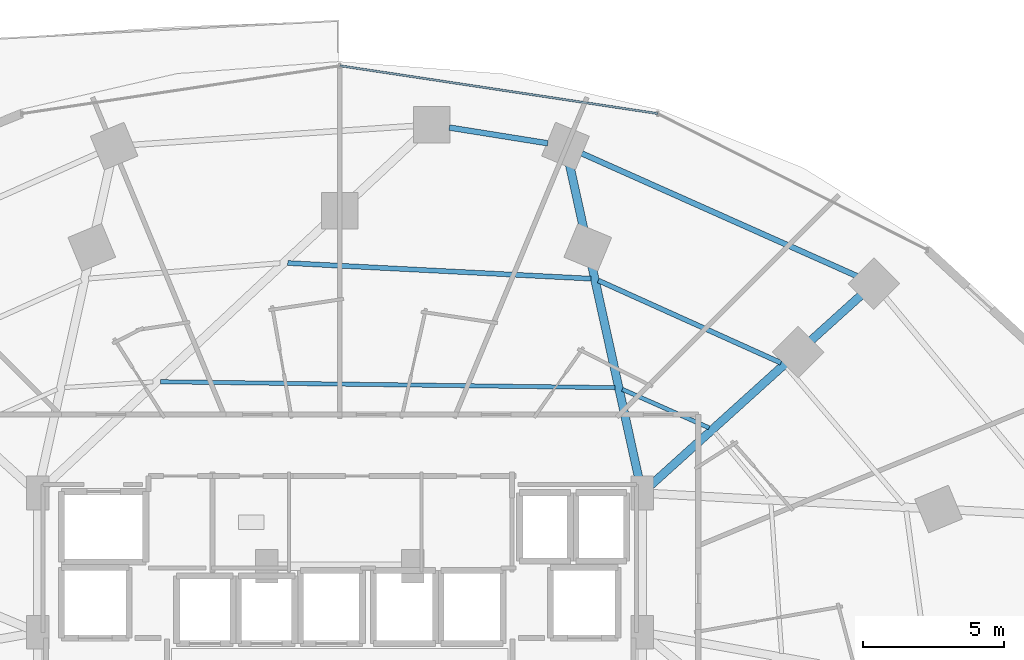
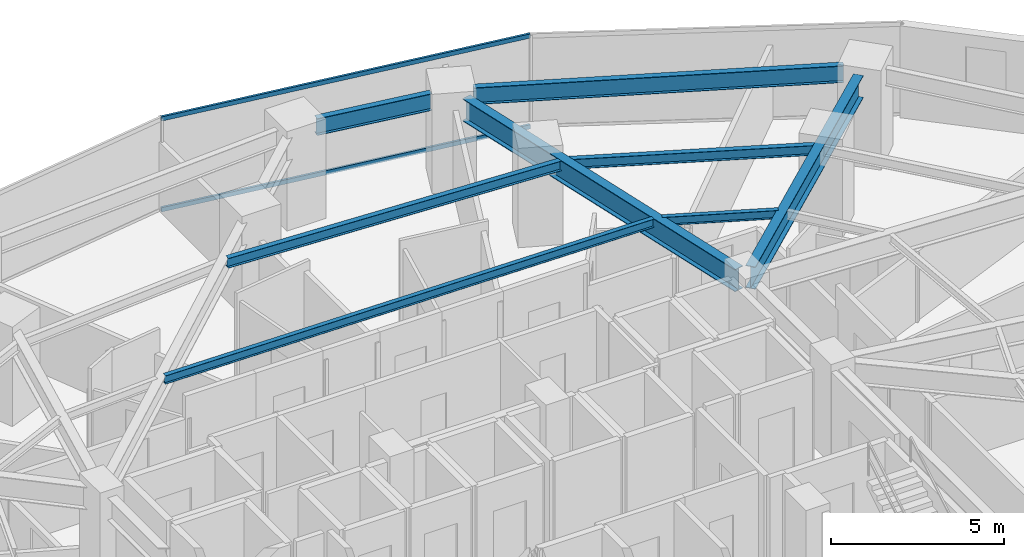
# One storey, part 22 of 34: 8 beams, 2 members, 1 element without a shape of its own.
"""IFC4 building model written with IfcOpenShell, lengths in metres."""

from ifc_helpers import new_model, si_unit, direction, frame, origin, origin_2d, place, context, subcontext, project, spatial, hollow_rectangle, i_section, extrude, material, material_profile, profile_set, type_object, element, aggregate, save


model = new_model("IFC4")

# Units and contexts
model_context = context("Model", 3, precision=1e-05, world=origin(), true_north=direction((0.0, 1.0)))
body_context = subcontext(model_context, "Body", "Model", "MODEL_VIEW")
ifc_project = project(units=[si_unit("LENGTHUNIT", "METRE"), si_unit("AREAUNIT", "SQUARE_METRE"), si_unit("VOLUMEUNIT", "CUBIC_METRE"), si_unit("PLANEANGLEUNIT", "RADIAN"), si_unit("MASSUNIT", "GRAM", prefix="KILO")], contexts=[model_context])

# Site, building, storey
site_placement = place(None, origin())
site = spatial("IfcSite", under=ifc_project, at=site_placement, CompositionType="ELEMENT")
building_placement = place(site_placement, origin())
building = spatial("IfcBuilding", under=site, at=building_placement, Name="Vorneva Point Tower", CompositionType="ELEMENT")
storey_placement = place(building_placement, frame((0.0, 0.0, 31.0)))
storey = spatial("IfcBuildingStorey", under=building, at=storey_placement, Name="L07", CompositionType="ELEMENT", Elevation=31.0)

# Beams
ifc_material_1 = material(Name="Steel S355", Category="steel")
ifc_material_profile_1 = material_profile(ifc_material_1, i_section(OverallWidth=0.300048828125, OverallDepth=0.7880859375, WebThickness=0.014404296875, FlangeThickness=0.02197265625, at=origin_2d()), Name="80Sh1")
ifc_profile_set_1 = profile_set([ifc_material_profile_1], Name="Steel S355")
beam_type_1 = type_object("IfcBeamType", Name="BM-GRD-80Sh1", PredefinedType="USERDEFINED", material=ifc_profile_set_1)
beam_1_placement = place(storey_placement, frame((56.52392578125, 40.172119140625, 2.845947265625), z_axis=(-0.742084477445, -0.67030636901, 0.0), x_axis=(0.67030636901, -0.742084477445, 0.0)))
element("IfcBeam", 1, at=beam_1_placement, inside=storey, type_object=beam_type_1, Name="L07 Radial Primary Girder 03", ObjectType="GIRDER", PredefinedType="USERDEFINED", context=body_context, shape_type="SweptSolid", body=[
    extrude(i_section(OverallWidth=0.300048828125, OverallDepth=0.7880859375, WebThickness=0.014404296875, FlangeThickness=0.02197265625, at=origin_2d()), origin(), (0.0, 0.0, 1.0), 10.135986328125),
])
beam_2_placement = place(storey_placement, frame((46.163818359375, 44.86865234375, 2.845947265625), z_axis=(0.215504784711, -0.976502784311, 0.0), x_axis=(0.976502784311, 0.215504784711, 0.0)))
element("IfcBeam", 2, at=beam_2_placement, inside=storey, type_object=beam_type_1, Name="L07 Radial Primary Girder 04", ObjectType="GIRDER", PredefinedType="USERDEFINED", context=body_context, shape_type="SweptSolid", body=[
    extrude(i_section(OverallWidth=0.300048828125, OverallDepth=0.7880859375, WebThickness=0.014404296875, FlangeThickness=0.02197265625, at=origin_2d()), origin(), (0.0, 0.0, 1.0), 11.66064453125),
])
ifc_material_profile_2 = material_profile(ifc_material_1, i_section(OverallWidth=0.14892578125, OverallDepth=0.298095703125, WebThickness=0.005615234375, FlangeThickness=0.008056640625, at=origin_2d()), Name="30B1")
ifc_profile_set_2 = profile_set([ifc_material_profile_2], Name="Steel S355")
beam_type_2 = type_object("IfcBeamType", Name="BM-JST-30B1", PredefinedType="JOIST", material=ifc_profile_set_2)
beam_3_placement = place(storey_placement, frame((51.1328125, 35.47216796875, 3.091064453125), z_axis=(-0.913898046964, 0.40594378891, 0.0), x_axis=(-0.40594378891, -0.913898046964, 0.0)))
element("IfcBeam", 3, at=beam_3_placement, inside=storey, type_object=beam_type_2, Name="L07 Secondary Floor Beam 2.03", PredefinedType="JOIST", context=body_context, shape_type="SweptSolid", body=[
    extrude(i_section(OverallWidth=0.14892578125, OverallDepth=0.298095703125, WebThickness=0.005615234375, FlangeThickness=0.008056640625, at=origin_2d()), origin(), (0.0, 0.0, 1.0), 3.37451171875),
])
beam_4_placement = place(storey_placement, frame((47.784912109375, 36.89990234375, 3.091064453125), z_axis=(-0.999914800713, 0.013053402451, 0.0), x_axis=(-0.013053402451, -0.999914800713, 0.0)))
element("IfcBeam", 4, at=beam_4_placement, inside=storey, type_object=beam_type_2, Name="L07 Secondary Floor Beam 2.04", PredefinedType="JOIST", context=body_context, shape_type="SweptSolid", body=[
    extrude(i_section(OverallWidth=0.14892578125, OverallDepth=0.298095703125, WebThickness=0.005615234375, FlangeThickness=0.008056640625, at=origin_2d()), origin(), (0.0, 0.0, 1.0), 16.15966796875),
])
ifc_material_profile_3 = material_profile(ifc_material_1, i_section(OverallWidth=0.174072265625, OverallDepth=0.345947265625, WebThickness=0.006103515625, FlangeThickness=0.009033203125, at=origin_2d()), Name="35B1")
ifc_profile_set_3 = profile_set([ifc_material_profile_3], Name="Steel S355")
beam_type_3 = type_object("IfcBeamType", Name="BM-SEC-35B1", PredefinedType="BEAM", material=ifc_profile_set_3)
beam_5_placement = place(storey_placement, frame((53.6904296875, 37.782958984375, 3.06689453125), z_axis=(-0.911588519067, 0.411103845646, 0.0), x_axis=(-0.411103845646, -0.911588519067, 0.0)))
element("IfcBeam", 5, at=beam_5_placement, inside=storey, type_object=beam_type_3, Name="L07 Secondary Floor Beam 1.03", PredefinedType="BEAM", context=body_context, shape_type="SweptSolid", body=[
    extrude(i_section(OverallWidth=0.174072265625, OverallDepth=0.345947265625, WebThickness=0.006103515625, FlangeThickness=0.009033203125, at=origin_2d()), origin(), (0.0, 0.0, 1.0), 7.12646484375),
])
beam_6_placement = place(storey_placement, frame((46.9306640625, 40.776611328125, 3.06689453125), z_axis=(-0.998669988287, 0.0515582631, 0.0), x_axis=(-0.0515582631, -0.998669988287, 0.0)))
element("IfcBeam", 6, at=beam_6_placement, inside=storey, type_object=beam_type_3, Name="L07 Secondary Floor Beam 1.04", PredefinedType="BEAM", context=body_context, shape_type="SweptSolid", body=[
    extrude(i_section(OverallWidth=0.174072265625, OverallDepth=0.345947265625, WebThickness=0.006103515625, FlangeThickness=0.009033203125, at=origin_2d()), origin(), (0.0, 0.0, 1.0), 10.79638671875),
])
ifc_material_profile_4 = material_profile(ifc_material_1, i_section(OverallWidth=0.198974609375, OverallDepth=0.595947265625, WebThickness=0.010009765625, FlangeThickness=0.014892578125, at=origin_2d()), Name="60B1")
ifc_profile_set_4 = profile_set([ifc_material_profile_4], Name="Steel S355")
beam_type_4 = type_object("IfcBeamType", Name="BM-SPN-60B1", PredefinedType="SPANDREL", material=ifc_profile_set_4)
beam_7_placement = place(storey_placement, frame((56.41748046875, 40.8583984375, 2.94189453125), z_axis=(-0.913329187558, 0.407222046499, 0.0), x_axis=(-0.407222046499, -0.913329187558, 0.0)))
element("IfcBeam", 7, at=beam_7_placement, inside=storey, type_object=beam_type_4, Name="L07 Perimeter Spandrel Ring Beam 03", PredefinedType="SPANDREL", context=body_context, shape_type="SweptSolid", body=[
    extrude(i_section(OverallWidth=0.198974609375, OverallDepth=0.595947265625, WebThickness=0.010009765625, FlangeThickness=0.014892578125, at=origin_2d()), origin(), (0.0, 0.0, 1.0), 10.742431640625),
])
beam_8_placement = place(storey_placement, frame((45.399169921875, 45.591796875, 2.94189453125), z_axis=(-0.987466356523, 0.157829638328, 0.0), x_axis=(-0.157829638328, -0.987466356523, 0.0)))
element("IfcBeam", 8, at=beam_8_placement, inside=storey, type_object=beam_type_4, Name="L07 Perimeter Spandrel Ring Beam 04", PredefinedType="SPANDREL", context=body_context, shape_type="SweptSolid", body=[
    extrude(i_section(OverallWidth=0.198974609375, OverallDepth=0.595947265625, WebThickness=0.010009765625, FlangeThickness=0.014892578125, at=origin_2d()), origin(), (0.0, 0.0, 1.0), 3.551513671875),
])

# Curtain wall, members
ifc_material_2 = material(Name="Pale anodised aluminium", Category="aluminium")
curtain_wall_type = type_object("IfcCurtainWallType", Name="CW-HTL-SYS", PredefinedType="NOTDEFINED", material=ifc_material_2)
curtain_wall_placement = place(storey_placement, origin())
curtain_wall = element("IfcCurtainWall", 9, at=curtain_wall_placement, inside=storey, type_object=curtain_wall_type, Name="L07 Unitised Curtain Wall CW-L07-R02", PredefinedType="NOTDEFINED")
ifc_material_profile_5 = material_profile(ifc_material_2, hollow_rectangle(XDim=0.074951171875, YDim=0.14990234375, WallThickness=0.00390625, at=origin_2d()), Name="AL-TRN 150x75x4")
ifc_profile_set_5 = profile_set([ifc_material_profile_5], Name="Pale anodised aluminium")
member_type = type_object("IfcMemberType", Name="CW-TRN-150", PredefinedType="USERDEFINED", material=ifc_profile_set_5)
member_1_placement = place(storey_placement, frame((49.308349609375, 46.648681640625, 0.02001953125), z_axis=(-0.988870014575, 0.148782036131, 0.0), x_axis=(-0.148782036131, -0.988870014575, 0.0)))
member_1 = element("IfcMember", 10, at=member_1_placement, type_object=member_type, Name="CW-L07-R02 Transom 02.1", ObjectType="TRANSOM", PredefinedType="USERDEFINED", context=body_context, shape_type="SweptSolid", body=[
    extrude(hollow_rectangle(XDim=0.074951171875, YDim=0.14990234375, WallThickness=0.00390625, at=origin_2d()), origin(), (0.0, 0.0, 1.0), 11.435546875),
])
member_2_placement = place(storey_placement, frame((49.308349609375, 46.648681640625, 3.219970703125), z_axis=(-0.988870014575, 0.148782036131, 0.0), x_axis=(-0.148782036131, -0.988870014575, 0.0)))
member_2 = element("IfcMember", 11, at=member_2_placement, type_object=member_type, Name="CW-L07-R02 Transom 02.2", ObjectType="TRANSOM", PredefinedType="USERDEFINED", context=body_context, shape_type="SweptSolid", body=[
    extrude(hollow_rectangle(XDim=0.074951171875, YDim=0.14990234375, WallThickness=0.00390625, at=origin_2d()), origin(), (0.0, 0.0, 1.0), 11.435546875),
])
aggregate(curtain_wall, [member_1, member_2])

save(model, "model.ifc")
